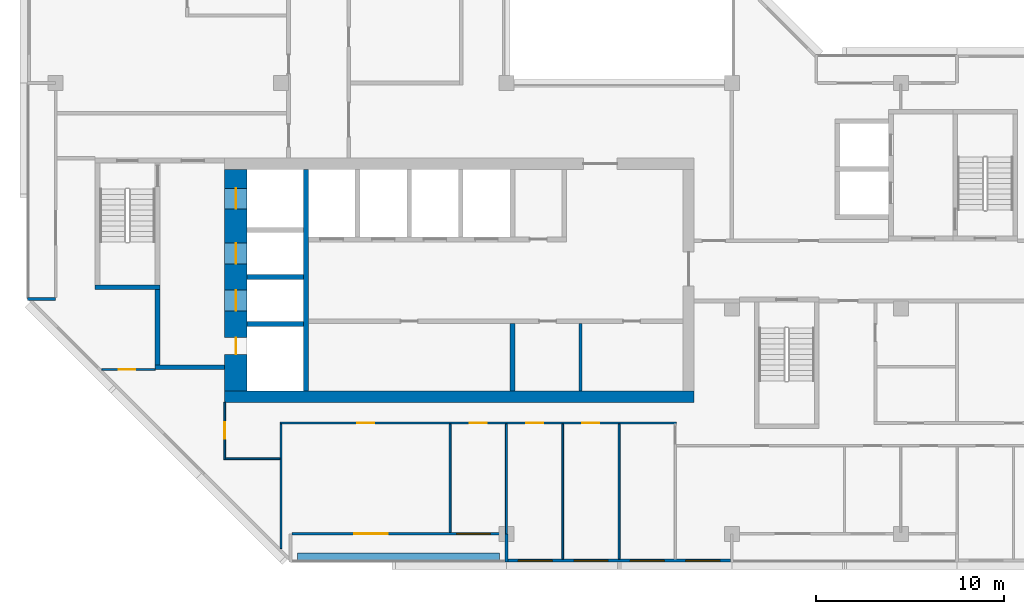
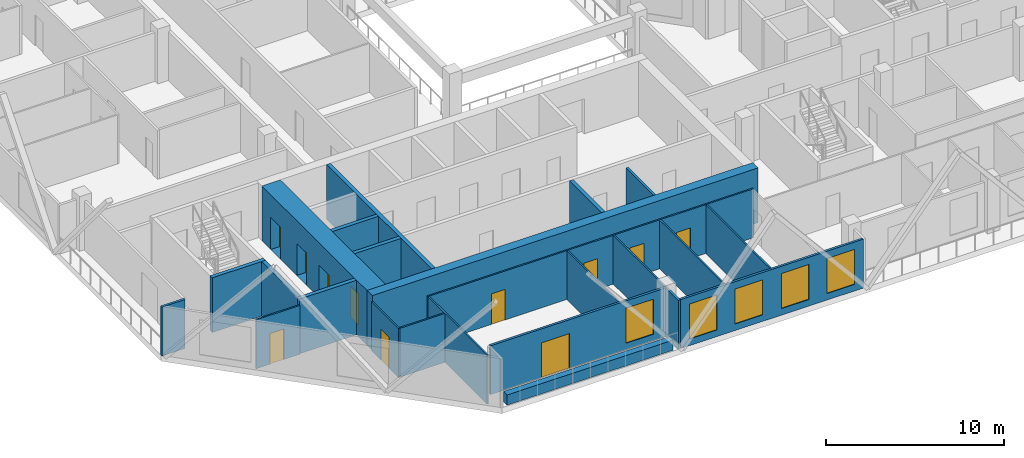
# One storey, part 4 of 13: 24 walls, 11 doors, 5 windows, 16 openings.
"""IFC4 building model written with IfcOpenShell, lengths in metres."""

from ifc_helpers import new_model, si_unit, direction, frame, frame_2d, origin, place, context, subcontext, project, spatial, rectangle, extrude, material, layer, layer_set, type_object, element, fill, save


model = new_model("IFC4")

# Units and contexts
model_context = context("Model", 3, precision=1e-05, world=origin(), true_north=direction((0.0, 1.0)))
body_context = subcontext(model_context, "Body", "Model", "MODEL_VIEW")
ifc_project = project(units=[si_unit("LENGTHUNIT", "METRE"), si_unit("AREAUNIT", "SQUARE_METRE"), si_unit("VOLUMEUNIT", "CUBIC_METRE"), si_unit("PLANEANGLEUNIT", "RADIAN"), si_unit("MASSUNIT", "GRAM", prefix="KILO")], contexts=[model_context])

# Site, building, storey
site_placement = place(None, origin())
site = spatial("IfcSite", under=ifc_project, at=site_placement, CompositionType="ELEMENT")
building_placement = place(site_placement, origin())
building = spatial("IfcBuilding", under=site, at=building_placement, Name="Chenar Terraces", CompositionType="ELEMENT")
storey_placement = place(building_placement, frame((0.0, 0.0, 280.89990234375)))
storey = spatial("IfcBuildingStorey", under=building, at=storey_placement, Name="L65", CompositionType="ELEMENT", Elevation=280.89990234375)

# Wall
ifc_material_1 = material(Name="Gypsum board on steel studs", Category="steel")
ifc_layer_1 = layer(ifc_material_1, 0.14990234375)
ifc_layer_set_1 = layer_set([ifc_layer_1], Name="Gypsum board on steel studs")
wall_type_1 = type_object("IfcWallType", Name="Core partition 150 gypsum board", PredefinedType="PARTITIONING", material=ifc_layer_set_1)
wall_1_placement = place(storey_placement, frame((27.949951171875, 7.60009765625, 0.0), z_axis=(0.0, 0.0, 1.0), x_axis=(0.0, 1.0, 0.0)))
element("IfcWall", 1, at=wall_1_placement, inside=storey, type_object=wall_type_1, Name="Core partition CP1 freed bay wall", PredefinedType="PARTITIONING", context=body_context, shape_type="SweptSolid", body=[
    extrude(rectangle(XDim=3.599853515625, YDim=0.14990234375, at=frame_2d((1.7998046875, 0.0))), origin(), (0.0, 0.0, 1.0), 3.35009765625),
])

# Wall, openings, doors
ifc_material_2 = material(Name="Concrete C50/60", Category="concrete")
ifc_layer_2 = layer(ifc_material_2, 1.199951171875)
ifc_layer_set_2 = layer_set([ifc_layer_2], Name="Concrete C50/60")
wall_type_2 = type_object("IfcWallType", Name="Core wall 1200 Concrete C50/60", PredefinedType="SHEAR", material=ifc_layer_set_2)
wall_2_placement = place(storey_placement, frame((9.60009765625, 7.60009765625, 0.0), z_axis=(0.0, 0.0, 1.0), x_axis=(0.0, 1.0, 0.0)))
wall_2 = element("IfcWall", 2, at=wall_2_placement, inside=storey, type_object=wall_type_2, Name="Core wall W L65", PredefinedType="SHEAR", context=body_context, shape_type="SweptSolid", body=[
    extrude(rectangle(XDim=11.7998046875, YDim=1.199951171875, at=frame_2d((5.89990234375, 0.0))), origin(), (0.0, 0.0, 1.0), 3.75),
])
opening_1_placement = place(wall_2_placement, frame((4.27490234375, 0.0, 0.0)))
opening_1 = element("IfcOpeningElement", 3, at=opening_1_placement, cuts=wall_2, Name="Opening DL65-LD5", PredefinedType="OPENING", context=body_context, shape_type="SweptSolid", body=[
    extrude(rectangle(XDim=1.10009765625, YDim=2.199951171875, at=frame_2d((0.550048828125, 1.10009765625))), frame((0.0, 0.60986328125, 0.0), z_axis=(0.0, -1.0, 0.0), x_axis=(1.0, 0.0, 0.0)), (0.0, 0.0, 1.0), 1.219970703125),
])
opening_2_placement = place(wall_2_placement, frame((6.77490234375, 0.0, 0.0)))
opening_2 = element("IfcOpeningElement", 4, at=opening_2_placement, cuts=wall_2, Name="Opening DL65-LD6", PredefinedType="OPENING", context=body_context, shape_type="SweptSolid", body=[
    extrude(rectangle(XDim=1.10009765625, YDim=2.199951171875, at=frame_2d((0.550048828125, 1.10009765625))), frame((0.0, 0.60986328125, 0.0), z_axis=(0.0, -1.0, 0.0), x_axis=(1.0, 0.0, 0.0)), (0.0, 0.0, 1.0), 1.219970703125),
])
opening_3_placement = place(wall_2_placement, frame((9.699951171875, 0.0, 0.0)))
opening_3 = element("IfcOpeningElement", 5, at=opening_3_placement, cuts=wall_2, Name="Opening DL65-LD7", PredefinedType="OPENING", context=body_context, shape_type="SweptSolid", body=[
    extrude(rectangle(XDim=1.10009765625, YDim=2.199951171875, at=frame_2d((0.550048828125, 1.10009765625))), frame((0.0, 0.60986328125, 0.0), z_axis=(0.0, -1.0, 0.0), x_axis=(1.0, 0.0, 0.0)), (0.0, 0.0, 1.0), 1.219970703125),
])
opening_4_placement = place(wall_2_placement, frame((1.949951171875, 0.0, 0.0)))
opening_4 = element("IfcOpeningElement", 6, at=opening_4_placement, cuts=wall_2, Name="Opening DL65-C4", PredefinedType="OPENING", context=body_context, shape_type="SweptSolid", body=[
    extrude(rectangle(XDim=0.89990234375, YDim=2.10009765625, at=frame_2d((0.449951171875, 1.050048828125))), frame((0.0, 0.60986328125, 0.0), z_axis=(0.0, -1.0, 0.0), x_axis=(1.0, 0.0, 0.0)), (0.0, 0.0, 1.0), 1.219970703125),
])
ifc_material_3 = material(Name="Stainless steel", Category="steel")
door_type_1 = type_object("IfcDoorType", Name="Lift landing door 1100 x 2200 sliding", OperationType="DOUBLE_DOOR_SLIDING", PredefinedType="DOOR", material=ifc_material_3)
door_1_placement = place(opening_1_placement, origin())
door_1 = element("IfcDoor", 7, at=door_1_placement, inside=storey, type_object=door_type_1, Name="Landing door S1", OperationType="DOUBLE_DOOR_SLIDING", OverallHeight=2.199951171875, OverallWidth=1.10009765625, PredefinedType="DOOR", context=body_context, shape_type="SweptSolid", body=[
    extrude(rectangle(XDim=1.10009765625, YDim=2.199951171875, at=frame_2d((0.550048828125, 1.10009765625))), frame((0.0, 0.02490234375, 0.0), z_axis=(0.0, -1.0, 0.0), x_axis=(1.0, 0.0, 0.0)), (0.0, 0.0, 1.0), 0.050048828125),
])
fill(opening_1, door_1)
door_2_placement = place(opening_2_placement, origin())
door_2 = element("IfcDoor", 8, at=door_2_placement, inside=storey, type_object=door_type_1, Name="Landing door F1", OperationType="DOUBLE_DOOR_SLIDING", OverallHeight=2.199951171875, OverallWidth=1.10009765625, PredefinedType="DOOR", context=body_context, shape_type="SweptSolid", body=[
    extrude(rectangle(XDim=1.10009765625, YDim=2.199951171875, at=frame_2d((0.550048828125, 1.10009765625))), frame((0.0, 0.02490234375, 0.0), z_axis=(0.0, -1.0, 0.0), x_axis=(1.0, 0.0, 0.0)), (0.0, 0.0, 1.0), 0.050048828125),
])
fill(opening_2, door_2)
door_3_placement = place(opening_3_placement, origin())
door_3 = element("IfcDoor", 9, at=door_3_placement, inside=storey, type_object=door_type_1, Name="Landing door F2", OperationType="DOUBLE_DOOR_SLIDING", OverallHeight=2.199951171875, OverallWidth=1.10009765625, PredefinedType="DOOR", context=body_context, shape_type="SweptSolid", body=[
    extrude(rectangle(XDim=1.10009765625, YDim=2.199951171875, at=frame_2d((0.550048828125, 1.10009765625))), frame((0.0, 0.02490234375, 0.0), z_axis=(0.0, -1.0, 0.0), x_axis=(1.0, 0.0, 0.0)), (0.0, 0.0, 1.0), 0.050048828125),
])
fill(opening_3, door_3)
ifc_material_4 = material(Name="Steel-framed fire-resisting door leaf", Category="steel")
door_type_2 = type_object("IfcDoorType", Name="Riser fire door FD60 900 x 2100", OperationType="SINGLE_SWING_LEFT", PredefinedType="DOOR", material=ifc_material_4)
door_4_placement = place(opening_4_placement, frame((0.89990234375, 0.0, 0.0), z_axis=(0.0, 0.0, 1.0), x_axis=(-1.0, 0.0, 0.0)))
door_4 = element("IfcDoor", 10, at=door_4_placement, inside=storey, type_object=door_type_2, Name="Riser door DL65-C4", OperationType="SINGLE_SWING_LEFT", OverallHeight=2.10009765625, OverallWidth=0.89990234375, PredefinedType="DOOR", context=body_context, shape_type="SweptSolid", body=[
    extrude(rectangle(XDim=0.89990234375, YDim=2.10009765625, at=frame_2d((0.449951171875, 1.050048828125))), frame((0.0, 0.02490234375, 0.0), z_axis=(0.0, -1.0, 0.0), x_axis=(1.0, 0.0, 0.0)), (0.0, 0.0, 1.0), 0.050048828125),
])
fill(opening_4, door_4)

# Walls
ifc_material_5 = material(Name="Concrete C50/60", Category="concrete")
ifc_layer_3 = layer(ifc_material_5, 0.25)
ifc_layer_set_3 = layer_set([ifc_layer_3], Name="Concrete C50/60")
wall_type_3 = type_object("IfcWallType", Name="Core wall 250 Concrete C50/60", PredefinedType="SHEAR", material=ifc_layer_set_3)
wall_3_placement = place(storey_placement, frame((13.324951171875, 7.60009765625, 0.0), z_axis=(0.0, 0.0, 1.0), x_axis=(0.0, 1.0, 0.0)))
element("IfcWall", 11, at=wall_3_placement, inside=storey, type_object=wall_type_3, Name="Core wall WI L65", PredefinedType="SHEAR", context=body_context, shape_type="SweptSolid", body=[
    extrude(rectangle(XDim=11.7998046875, YDim=0.25, at=frame_2d((5.89990234375, 0.0))), origin(), (0.0, 0.0, 1.0), 3.75),
])
for number, where, z_axis, x_axis, name in (
    (12, (10.199951171875, 11.175048828125, 0.0), (0.0, 0.0, 1.0), (1.0, 0.0, 0.0), "Core wall HW0 L65"),
    (13, (10.199951171875, 13.675048828125, 0.0), (0.0, 0.0, 1.0), (1.0, 0.0, 0.0), "Core wall HW1 L65"),
):
    element("IfcWall", number, at=place(storey_placement, frame(where, z_axis=z_axis, x_axis=x_axis)), inside=storey, type_object=wall_type_3, Name=name, PredefinedType="SHEAR", context=body_context, shape_type="SweptSolid", body=[
        extrude(rectangle(XDim=3.0, YDim=0.25, at=frame_2d((1.5, 0.0))), origin(), (0.0, 0.0, 1.0), 3.75),
    ])
wall_4_placement = place(storey_placement, frame((24.324951171875, 7.60009765625, 0.0), z_axis=(0.0, 0.0, 1.0), x_axis=(0.0, 1.0, 0.0)))
element("IfcWall", 14, at=wall_4_placement, inside=storey, type_object=wall_type_3, Name="Core wall SS3 L65", PredefinedType="SHEAR", context=body_context, shape_type="SweptSolid", body=[
    extrude(rectangle(XDim=3.599853515625, YDim=0.25, at=frame_2d((1.7998046875, 0.0))), origin(), (0.0, 0.0, 1.0), 3.75),
])
wall_5_placement = place(storey_placement, frame((2.10009765625, 13.125, 0.0), z_axis=(0.0, 0.0, 1.0), x_axis=(1.0, 0.0, 0.0)))
element("IfcWall", 15, at=wall_5_placement, inside=storey, type_object=wall_type_3, Name="Core wall ST1_S L65", PredefinedType="SHEAR", context=body_context, shape_type="SweptSolid", body=[
    extrude(rectangle(XDim=3.449951171875, YDim=0.25, at=frame_2d((1.72509765625, 0.0))), origin(), (0.0, 0.0, 1.0), 3.75),
])
wall_6_placement = place(storey_placement, frame((5.300048828125, 8.875, 0.0), z_axis=(0.0, 0.0, 1.0), x_axis=(1.0, 0.0, 0.0)))
element("IfcWall", 16, at=wall_6_placement, inside=storey, type_object=wall_type_3, Name="Core wall FFL_S L65", PredefinedType="SHEAR", context=body_context, shape_type="SweptSolid", body=[
    extrude(rectangle(XDim=3.699951171875, YDim=0.25, at=frame_2d((1.85009765625, 0.0))), origin(), (0.0, 0.0, 1.0), 3.75),
])
wall_7_placement = place(storey_placement, frame((5.425048828125, 9.0, 0.0), z_axis=(0.0, 0.0, 1.0), x_axis=(0.0, 1.0, 0.0)))
element("IfcWall", 17, at=wall_7_placement, inside=storey, type_object=wall_type_3, Name="Core wall FFL_W L65", PredefinedType="SHEAR", context=body_context, shape_type="SweptSolid", body=[
    extrude(rectangle(XDim=4.0, YDim=0.25, at=frame_2d((2.0, 0.0))), origin(), (0.0, 0.0, 1.0), 3.75),
])
ifc_material_6 = material(Name="Concrete C50/60", Category="concrete")
ifc_layer_4 = layer(ifc_material_6, 0.60009765625)
ifc_layer_set_4 = layer_set([ifc_layer_4], Name="Concrete C50/60")
wall_type_4 = type_object("IfcWallType", Name="Core wall 600 Concrete C50/60", PredefinedType="SHEAR", material=ifc_layer_set_4)
wall_8_placement = place(storey_placement, frame((9.0, 7.300048828125, 0.0), z_axis=(0.0, 0.0, 1.0), x_axis=(1.0, 0.0, 0.0)))
element("IfcWall", 18, at=wall_8_placement, inside=storey, type_object=wall_type_4, Name="Core wall S L65", PredefinedType="SHEAR", context=body_context, shape_type="SweptSolid", body=[
    extrude(rectangle(XDim=25.0, YDim=0.60009765625, at=frame_2d((12.5, 0.0))), origin(), (0.0, 0.0, 1.0), 3.75),
])

# Wall, openings, windows
ifc_material_7 = material(Name="Aluminium framed glazing", Category="aluminium")
ifc_layer_5 = layer(ifc_material_7, 0.14990234375)
ifc_layer_set_5 = layer_set([ifc_layer_5], Name="Aluminium framed glazing")
wall_type_5 = type_object("IfcWallType", Name="Glazed flush facade wall 150", PredefinedType="SOLIDWALL", material=ifc_layer_set_5)
wall_9_placement = place(storey_placement, frame((24.074951171875, -1.425048828125, 0.0), z_axis=(0.0, 0.0, 1.0), x_axis=(1.0, 0.0, 0.0)))
wall_9 = element("IfcWall", 19, at=wall_9_placement, inside=storey, type_object=wall_type_5, Name="Glazed flush facade wall", PredefinedType="SOLIDWALL", context=body_context, shape_type="SweptSolid", body=[
    extrude(rectangle(XDim=11.85009765625, YDim=0.14990234375, at=frame_2d((5.925048828125, 0.0))), origin(), (0.0, 0.0, 1.0), 3.35009765625),
])
opening_5_placement = place(wall_9_placement, frame((0.5625, 0.0, 0.449951171875)))
opening_5 = element("IfcOpeningElement", 20, at=opening_5_placement, cuts=wall_9, Name="Opening W180x240", PredefinedType="OPENING", context=body_context, shape_type="SweptSolid", body=[
    extrude(rectangle(XDim=1.800048828125, YDim=2.39990234375, at=frame_2d((0.89990234375, 1.199951171875))), frame((0.0, 0.0849609375, 0.0), z_axis=(0.0, -1.0, 0.0), x_axis=(1.0, 0.0, 0.0)), (0.0, 0.0, 1.0), 0.169921875),
])
opening_6_placement = place(wall_9_placement, frame((3.52490234375, 0.0, 0.449951171875)))
opening_6 = element("IfcOpeningElement", 21, at=opening_6_placement, cuts=wall_9, Name="Opening W180x240", PredefinedType="OPENING", context=body_context, shape_type="SweptSolid", body=[
    extrude(rectangle(XDim=1.800048828125, YDim=2.39990234375, at=frame_2d((0.89990234375, 1.199951171875))), frame((0.0, 0.0849609375, 0.0), z_axis=(0.0, -1.0, 0.0), x_axis=(1.0, 0.0, 0.0)), (0.0, 0.0, 1.0), 0.169921875),
])
opening_7_placement = place(wall_9_placement, frame((6.52490234375, 0.0, 0.449951171875)))
opening_7 = element("IfcOpeningElement", 22, at=opening_7_placement, cuts=wall_9, Name="Opening W180x240", PredefinedType="OPENING", context=body_context, shape_type="SweptSolid", body=[
    extrude(rectangle(XDim=1.800048828125, YDim=2.39990234375, at=frame_2d((0.89990234375, 1.199951171875))), frame((0.0, 0.0849609375, 0.0), z_axis=(0.0, -1.0, 0.0), x_axis=(1.0, 0.0, 0.0)), (0.0, 0.0, 1.0), 0.169921875),
])
opening_8_placement = place(wall_9_placement, frame((9.487548828125, 0.0, 0.449951171875)))
opening_8 = element("IfcOpeningElement", 23, at=opening_8_placement, cuts=wall_9, Name="Opening W180x240", PredefinedType="OPENING", context=body_context, shape_type="SweptSolid", body=[
    extrude(rectangle(XDim=1.800048828125, YDim=2.39990234375, at=frame_2d((0.89990234375, 1.199951171875))), frame((0.0, 0.0849609375, 0.0), z_axis=(0.0, -1.0, 0.0), x_axis=(1.0, 0.0, 0.0)), (0.0, 0.0, 1.0), 0.169921875),
])
ifc_material_8 = material(Name="Low emissivity double glazing, aluminium frame", Category="aluminium")
window_type = type_object("IfcWindowType", Name="Fixed light 1800 x 2400", PartitioningType="SINGLE_PANEL", PredefinedType="WINDOW", material=ifc_material_8)
window_1_placement = place(opening_5_placement, origin())
window_1 = element("IfcWindow", 24, at=window_1_placement, inside=storey, type_object=window_type, Name="Window", OverallHeight=2.39990234375, OverallWidth=1.800048828125, PartitioningType="SINGLE_PANEL", PredefinedType="WINDOW", context=body_context, shape_type="SweptSolid", body=[
    extrude(rectangle(XDim=1.800048828125, YDim=2.39990234375, at=frame_2d((0.89990234375, 1.199951171875))), frame((0.0, 0.030029296875, 0.0), z_axis=(0.0, -1.0, 0.0), x_axis=(1.0, 0.0, 0.0)), (0.0, 0.0, 1.0), 0.06005859375),
])
fill(opening_5, window_1)
window_2_placement = place(opening_6_placement, origin())
window_2 = element("IfcWindow", 25, at=window_2_placement, inside=storey, type_object=window_type, Name="Window", OverallHeight=2.39990234375, OverallWidth=1.800048828125, PartitioningType="SINGLE_PANEL", PredefinedType="WINDOW", context=body_context, shape_type="SweptSolid", body=[
    extrude(rectangle(XDim=1.800048828125, YDim=2.39990234375, at=frame_2d((0.89990234375, 1.199951171875))), frame((0.0, 0.030029296875, 0.0), z_axis=(0.0, -1.0, 0.0), x_axis=(1.0, 0.0, 0.0)), (0.0, 0.0, 1.0), 0.06005859375),
])
fill(opening_6, window_2)
window_3_placement = place(opening_7_placement, origin())
window_3 = element("IfcWindow", 26, at=window_3_placement, inside=storey, type_object=window_type, Name="Window", OverallHeight=2.39990234375, OverallWidth=1.800048828125, PartitioningType="SINGLE_PANEL", PredefinedType="WINDOW", context=body_context, shape_type="SweptSolid", body=[
    extrude(rectangle(XDim=1.800048828125, YDim=2.39990234375, at=frame_2d((0.89990234375, 1.199951171875))), frame((0.0, 0.030029296875, 0.0), z_axis=(0.0, -1.0, 0.0), x_axis=(1.0, 0.0, 0.0)), (0.0, 0.0, 1.0), 0.06005859375),
])
fill(opening_7, window_3)
window_4_placement = place(opening_8_placement, origin())
window_4 = element("IfcWindow", 27, at=window_4_placement, inside=storey, type_object=window_type, Name="Window", OverallHeight=2.39990234375, OverallWidth=1.800048828125, PartitioningType="SINGLE_PANEL", PredefinedType="WINDOW", context=body_context, shape_type="SweptSolid", body=[
    extrude(rectangle(XDim=1.800048828125, YDim=2.39990234375, at=frame_2d((0.89990234375, 1.199951171875))), frame((0.0, 0.030029296875, 0.0), z_axis=(0.0, -1.0, 0.0), x_axis=(1.0, 0.0, 0.0)), (0.0, 0.0, 1.0), 0.06005859375),
])
fill(opening_8, window_4)

# Wall, openings, window, door
ifc_material_9 = material(Name="Aluminium framed glazing", Category="aluminium")
ifc_layer_6 = layer(ifc_material_9, 0.14990234375)
ifc_layer_set_6 = layer_set([ifc_layer_6], Name="Aluminium framed glazing")
wall_type_6 = type_object("IfcWallType", Name="Glazed loggia back wall 150", PredefinedType="SOLIDWALL", material=ifc_layer_set_6)
wall_10_placement = place(storey_placement, frame((12.574951171875, 0.0, 0.0), z_axis=(0.0, 0.0, 1.0), x_axis=(1.0, 0.0, 0.0)))
wall_10 = element("IfcWall", 28, at=wall_10_placement, inside=storey, type_object=wall_type_6, Name="Glazed loggia back wall", PredefinedType="SOLIDWALL", context=body_context, shape_type="SweptSolid", body=[
    extrude(rectangle(XDim=11.35009765625, YDim=0.14990234375, at=frame_2d((5.675048828125, 0.0))), origin(), (0.0, 0.0, 1.0), 3.35009765625),
])
opening_9_placement = place(wall_10_placement, frame((3.3125, 0.0, 0.0)))
opening_9 = element("IfcOpeningElement", 29, at=opening_9_placement, cuts=wall_10, Name="Opening DL65-G5", PredefinedType="OPENING", context=body_context, shape_type="SweptSolid", body=[
    extrude(rectangle(XDim=1.800048828125, YDim=2.39990234375, at=frame_2d((0.89990234375, 1.199951171875))), frame((0.0, 0.0849609375, 0.0), z_axis=(0.0, -1.0, 0.0), x_axis=(1.0, 0.0, 0.0)), (0.0, 0.0, 1.0), 0.169921875),
])
opening_10_placement = place(wall_10_placement, frame((8.77490234375, 0.0, 0.449951171875)))
opening_10 = element("IfcOpeningElement", 30, at=opening_10_placement, cuts=wall_10, Name="Opening W180x240", PredefinedType="OPENING", context=body_context, shape_type="SweptSolid", body=[
    extrude(rectangle(XDim=1.800048828125, YDim=2.39990234375, at=frame_2d((0.89990234375, 1.199951171875))), frame((0.0, 0.0849609375, 0.0), z_axis=(0.0, -1.0, 0.0), x_axis=(1.0, 0.0, 0.0)), (0.0, 0.0, 1.0), 0.169921875),
])
window_5_placement = place(opening_10_placement, origin())
window_5 = element("IfcWindow", 31, at=window_5_placement, inside=storey, type_object=window_type, Name="Window", OverallHeight=2.39990234375, OverallWidth=1.800048828125, PartitioningType="SINGLE_PANEL", PredefinedType="WINDOW", context=body_context, shape_type="SweptSolid", body=[
    extrude(rectangle(XDim=1.800048828125, YDim=2.39990234375, at=frame_2d((0.89990234375, 1.199951171875))), frame((0.0, 0.030029296875, 0.0), z_axis=(0.0, -1.0, 0.0), x_axis=(1.0, 0.0, 0.0)), (0.0, 0.0, 1.0), 0.06005859375),
])
fill(opening_10, window_5)
ifc_material_10 = material(Name="Low emissivity double glazing, aluminium frame", Category="aluminium")
door_type_3 = type_object("IfcDoorType", Name="Loggia glazed double door 1800 x 2400", OperationType="DOUBLE_DOOR_SINGLE_SWING", PredefinedType="DOOR", material=ifc_material_10)
door_5_placement = place(opening_9_placement, frame((1.800048828125, 0.0, 0.0), z_axis=(0.0, 0.0, 1.0), x_axis=(-1.0, 0.0, 0.0)))
door_5 = element("IfcDoor", 32, at=door_5_placement, inside=storey, type_object=door_type_3, Name="Loggia glazed door", OperationType="DOUBLE_DOOR_SINGLE_SWING", OverallHeight=2.39990234375, OverallWidth=1.800048828125, PredefinedType="DOOR", context=body_context, shape_type="SweptSolid", body=[
    extrude(rectangle(XDim=1.800048828125, YDim=2.39990234375, at=frame_2d((0.89990234375, 1.199951171875))), frame((0.0, 0.02490234375, 0.0), z_axis=(0.0, -1.0, 0.0), x_axis=(1.0, 0.0, 0.0)), (0.0, 0.0, 1.0), 0.050048828125),
])
fill(opening_9, door_5)

# Wall, opening, door
ifc_material_11 = material(Name="Gypsum board on steel studs", Category="steel")
ifc_layer_7 = layer(ifc_material_11, 0.10009765625)
ifc_layer_set_7 = layer_set([ifc_layer_7], Name="Gypsum board on steel studs")
wall_type_7 = type_object("IfcWallType", Name="Gypsum partition 100", PredefinedType="PARTITIONING", material=ifc_layer_set_7)
wall_11_placement = place(storey_placement, frame((2.4609375, 8.75, 0.0), z_axis=(0.0, 0.0, 1.0), x_axis=(1.0, 0.0, 0.0)))
wall_11 = element("IfcWall", 33, at=wall_11_placement, inside=storey, type_object=wall_type_7, Name="Partition L65-010", PredefinedType="PARTITIONING", context=body_context, shape_type="SweptSolid", body=[
    extrude(rectangle(XDim=2.839111328125, YDim=0.10009765625, at=frame_2d((1.41943359375, 0.0))), origin(), (0.0, 0.0, 1.0), 3.35009765625),
])
opening_11_placement = place(wall_11_placement, frame((0.888916015625, 0.0, 0.0)))
opening_11 = element("IfcOpeningElement", 34, at=opening_11_placement, cuts=wall_11, Name="Opening DL65-43", PredefinedType="OPENING", context=body_context, shape_type="SweptSolid", body=[
    extrude(rectangle(XDim=0.89990234375, YDim=2.10009765625, at=frame_2d((0.449951171875, 1.050048828125))), frame((0.0, 0.06005859375, 0.0), z_axis=(0.0, -1.0, 0.0), x_axis=(1.0, 0.0, 0.0)), (0.0, 0.0, 1.0), 0.1201171875),
])
ifc_material_12 = material(Name="Veneered timber door leaf", Category="wood")
door_type_4 = type_object("IfcDoorType", Name="Door 900 x 2100", OperationType="SINGLE_SWING_LEFT", PredefinedType="DOOR", material=ifc_material_12)
door_6_placement = place(opening_11_placement, frame((0.89990234375, 0.0, 0.0), z_axis=(0.0, 0.0, 1.0), x_axis=(-1.0, 0.0, 0.0)))
door_6 = element("IfcDoor", 35, at=door_6_placement, inside=storey, type_object=door_type_4, Name="Door DL65-43", OperationType="SINGLE_SWING_RIGHT", OverallHeight=2.10009765625, OverallWidth=0.89990234375, PredefinedType="DOOR", context=body_context, shape_type="SweptSolid", body=[
    extrude(rectangle(XDim=0.89990234375, YDim=2.10009765625, at=frame_2d((0.449951171875, 1.050048828125))), frame((0.0, 0.02490234375, 0.0), z_axis=(0.0, -1.0, 0.0), x_axis=(1.0, 0.0, 0.0)), (0.0, 0.0, 1.0), 0.050048828125),
])
fill(opening_11, door_6)

wall_12_placement = place(storey_placement, frame((9.0, 3.949951171875, 0.0), z_axis=(0.0, 0.0, 1.0), x_axis=(0.0, 1.0, 0.0)))
wall_12 = element("IfcWall", 36, at=wall_12_placement, inside=storey, type_object=wall_type_7, Name="Partition L65-024", PredefinedType="PARTITIONING", context=body_context, shape_type="SweptSolid", body=[
    extrude(rectangle(XDim=3.050048828125, YDim=0.10009765625, at=frame_2d((1.52490234375, 0.0))), origin(), (0.0, 0.0, 1.0), 3.35009765625),
])
opening_12_placement = place(wall_12_placement, frame((1.10009765625, 0.0, 0.0)))
opening_12 = element("IfcOpeningElement", 37, at=opening_12_placement, cuts=wall_12, Name="Opening DL65-42", PredefinedType="OPENING", context=body_context, shape_type="SweptSolid", body=[
    extrude(rectangle(XDim=0.89990234375, YDim=2.10009765625, at=frame_2d((0.449951171875, 1.050048828125))), frame((0.0, 0.06005859375, 0.0), z_axis=(0.0, -1.0, 0.0), x_axis=(1.0, 0.0, 0.0)), (0.0, 0.0, 1.0), 0.1201171875),
])
door_7_placement = place(opening_12_placement, origin())
door_7 = element("IfcDoor", 38, at=door_7_placement, inside=storey, type_object=door_type_4, Name="Door DL65-42", OperationType="SINGLE_SWING_LEFT", OverallHeight=2.10009765625, OverallWidth=0.89990234375, PredefinedType="DOOR", context=body_context, shape_type="SweptSolid", body=[
    extrude(rectangle(XDim=0.89990234375, YDim=2.10009765625, at=frame_2d((0.449951171875, 1.050048828125))), frame((0.0, 0.02490234375, 0.0), z_axis=(0.0, -1.0, 0.0), x_axis=(1.0, 0.0, 0.0)), (0.0, 0.0, 1.0), 0.050048828125),
])
fill(opening_12, door_7)

# Wall
wall_13_placement = place(storey_placement, frame((9.050048828125, 4.0, 0.0), z_axis=(0.0, 0.0, 1.0), x_axis=(1.0, 0.0, 0.0)))
element("IfcWall", 39, at=wall_13_placement, inside=storey, type_object=wall_type_7, Name="Partition L65-025", PredefinedType="PARTITIONING", context=body_context, shape_type="SweptSolid", body=[
    extrude(rectangle(XDim=2.89990234375, YDim=0.10009765625, at=frame_2d((1.449951171875, 0.0))), origin(), (0.0, 0.0, 1.0), 3.35009765625),
])

# Wall, openings, doors
wall_14_placement = place(storey_placement, frame((11.949951171875, 5.89990234375, 0.0), z_axis=(0.0, 0.0, 1.0), x_axis=(1.0, 0.0, 0.0)))
wall_14 = element("IfcWall", 40, at=wall_14_placement, inside=storey, type_object=wall_type_7, Name="Partition L65-026", PredefinedType="PARTITIONING", context=body_context, shape_type="SweptSolid", body=[
    extrude(rectangle(XDim=21.10009765625, YDim=0.10009765625, at=frame_2d((10.550048828125, 0.0))), origin(), (0.0, 0.0, 1.0), 3.35009765625),
])
opening_13_placement = place(wall_14_placement, frame((10.10009765625, 0.0, 0.0)))
opening_13 = element("IfcOpeningElement", 41, at=opening_13_placement, cuts=wall_14, Name="Opening DL65-34", PredefinedType="OPENING", context=body_context, shape_type="SweptSolid", body=[
    extrude(rectangle(XDim=0.89990234375, YDim=2.10009765625, at=frame_2d((0.449951171875, 1.050048828125))), frame((0.0, 0.06005859375, 0.0), z_axis=(0.0, -1.0, 0.0), x_axis=(1.0, 0.0, 0.0)), (0.0, 0.0, 1.0), 0.1201171875),
])
opening_14_placement = place(wall_14_placement, frame((13.10009765625, 0.0, 0.0)))
opening_14 = element("IfcOpeningElement", 42, at=opening_14_placement, cuts=wall_14, Name="Opening DL65-35", PredefinedType="OPENING", context=body_context, shape_type="SweptSolid", body=[
    extrude(rectangle(XDim=0.89990234375, YDim=2.10009765625, at=frame_2d((0.449951171875, 1.050048828125))), frame((0.0, 0.06005859375, 0.0), z_axis=(0.0, -1.0, 0.0), x_axis=(1.0, 0.0, 0.0)), (0.0, 0.0, 1.0), 0.1201171875),
])
opening_15_placement = place(wall_14_placement, frame((16.10009765625, 0.0, 0.0)))
opening_15 = element("IfcOpeningElement", 43, at=opening_15_placement, cuts=wall_14, Name="Opening DL65-36", PredefinedType="OPENING", context=body_context, shape_type="SweptSolid", body=[
    extrude(rectangle(XDim=0.89990234375, YDim=2.10009765625, at=frame_2d((0.449951171875, 1.050048828125))), frame((0.0, 0.06005859375, 0.0), z_axis=(0.0, -1.0, 0.0), x_axis=(1.0, 0.0, 0.0)), (0.0, 0.0, 1.0), 0.1201171875),
])
opening_16_placement = place(wall_14_placement, frame((4.10009765625, 0.0, 0.0)))
opening_16 = element("IfcOpeningElement", 44, at=opening_16_placement, cuts=wall_14, Name="Opening DL65-47", PredefinedType="OPENING", context=body_context, shape_type="SweptSolid", body=[
    extrude(rectangle(XDim=0.89990234375, YDim=2.10009765625, at=frame_2d((0.449951171875, 1.050048828125))), frame((0.0, 0.06005859375, 0.0), z_axis=(0.0, -1.0, 0.0), x_axis=(1.0, 0.0, 0.0)), (0.0, 0.0, 1.0), 0.1201171875),
])
door_8_placement = place(opening_13_placement, frame((0.89990234375, 0.0, 0.0), z_axis=(0.0, 0.0, 1.0), x_axis=(-1.0, 0.0, 0.0)))
door_8 = element("IfcDoor", 45, at=door_8_placement, inside=storey, type_object=door_type_4, Name="Door DL65-34", OperationType="SINGLE_SWING_RIGHT", OverallHeight=2.10009765625, OverallWidth=0.89990234375, PredefinedType="DOOR", context=body_context, shape_type="SweptSolid", body=[
    extrude(rectangle(XDim=0.89990234375, YDim=2.10009765625, at=frame_2d((0.449951171875, 1.050048828125))), frame((0.0, 0.02490234375, 0.0), z_axis=(0.0, -1.0, 0.0), x_axis=(1.0, 0.0, 0.0)), (0.0, 0.0, 1.0), 0.050048828125),
])
fill(opening_13, door_8)
door_9_placement = place(opening_14_placement, frame((0.89990234375, 0.0, 0.0), z_axis=(0.0, 0.0, 1.0), x_axis=(-1.0, 0.0, 0.0)))
door_9 = element("IfcDoor", 46, at=door_9_placement, inside=storey, type_object=door_type_4, Name="Door DL65-35", OperationType="SINGLE_SWING_RIGHT", OverallHeight=2.10009765625, OverallWidth=0.89990234375, PredefinedType="DOOR", context=body_context, shape_type="SweptSolid", body=[
    extrude(rectangle(XDim=0.89990234375, YDim=2.10009765625, at=frame_2d((0.449951171875, 1.050048828125))), frame((0.0, 0.02490234375, 0.0), z_axis=(0.0, -1.0, 0.0), x_axis=(1.0, 0.0, 0.0)), (0.0, 0.0, 1.0), 0.050048828125),
])
fill(opening_14, door_9)
door_10_placement = place(opening_15_placement, frame((0.89990234375, 0.0, 0.0), z_axis=(0.0, 0.0, 1.0), x_axis=(-1.0, 0.0, 0.0)))
door_10 = element("IfcDoor", 47, at=door_10_placement, inside=storey, type_object=door_type_4, Name="Door DL65-36", OperationType="SINGLE_SWING_RIGHT", OverallHeight=2.10009765625, OverallWidth=0.89990234375, PredefinedType="DOOR", context=body_context, shape_type="SweptSolid", body=[
    extrude(rectangle(XDim=0.89990234375, YDim=2.10009765625, at=frame_2d((0.449951171875, 1.050048828125))), frame((0.0, 0.02490234375, 0.0), z_axis=(0.0, -1.0, 0.0), x_axis=(1.0, 0.0, 0.0)), (0.0, 0.0, 1.0), 0.050048828125),
])
fill(opening_15, door_10)
door_11_placement = place(opening_16_placement, frame((0.89990234375, 0.0, 0.0), z_axis=(0.0, 0.0, 1.0), x_axis=(-1.0, 0.0, 0.0)))
door_11 = element("IfcDoor", 48, at=door_11_placement, inside=storey, type_object=door_type_4, Name="Door DL65-47", OperationType="SINGLE_SWING_RIGHT", OverallHeight=2.10009765625, OverallWidth=0.89990234375, PredefinedType="DOOR", context=body_context, shape_type="SweptSolid", body=[
    extrude(rectangle(XDim=0.89990234375, YDim=2.10009765625, at=frame_2d((0.449951171875, 1.050048828125))), frame((0.0, 0.02490234375, 0.0), z_axis=(0.0, -1.0, 0.0), x_axis=(1.0, 0.0, 0.0)), (0.0, 0.0, 1.0), 0.050048828125),
])
fill(opening_16, door_11)

# Walls
wall_15_placement = place(storey_placement, frame((12.0, -0.787841796875, 0.0), z_axis=(0.0, 0.0, 1.0), x_axis=(0.0, 1.0, 0.0)))
element("IfcWall", 49, at=wall_15_placement, inside=storey, type_object=wall_type_7, Name="Partition L65-027", PredefinedType="PARTITIONING", context=body_context, shape_type="SweptSolid", body=[
    extrude(rectangle(XDim=6.637939453125, YDim=0.10009765625, at=frame_2d((3.31884765625, 0.0))), origin(), (0.0, 0.0, 1.0), 3.35009765625),
])
wall_16_placement = place(storey_placement, frame((21.0, 0.073974609375, 0.0), z_axis=(0.0, 0.0, 1.0), x_axis=(0.0, 1.0, 0.0)))
element("IfcWall", 50, at=wall_16_placement, inside=storey, type_object=wall_type_7, Name="Partition L65-041", PredefinedType="PARTITIONING", context=body_context, shape_type="SweptSolid", body=[
    extrude(rectangle(XDim=5.776123046875, YDim=0.10009765625, at=frame_2d((2.88818359375, 0.0))), origin(), (0.0, 0.0, 1.0), 3.35009765625),
])
wall_17_placement = place(storey_placement, frame((24.0, 0.0, 0.0), z_axis=(0.0, 0.0, 1.0), x_axis=(0.0, 1.0, 0.0)))
element("IfcWall", 51, at=wall_17_placement, inside=storey, type_object=wall_type_7, Name="Partition L65-043", PredefinedType="PARTITIONING", context=body_context, shape_type="SweptSolid", body=[
    extrude(rectangle(XDim=5.85009765625, YDim=0.10009765625, at=frame_2d((2.925048828125, 0.0))), origin(), (0.0, 0.0, 1.0), 3.35009765625),
])
for number, where, z_axis, x_axis, name in (
    (52, (27.0, -1.35107421875, 0.0), (0.0, 0.0, 1.0), (0.0, 1.0, 0.0), "Partition L65-044"),
    (53, (30.0, -1.35107421875, 0.0), (0.0, 0.0, 1.0), (0.0, 1.0, 0.0), "Partition L65-045"),
):
    element("IfcWall", number, at=place(storey_placement, frame(where, z_axis=z_axis, x_axis=x_axis)), inside=storey, type_object=wall_type_7, Name=name, PredefinedType="PARTITIONING", context=body_context, shape_type="SweptSolid", body=[
        extrude(rectangle(XDim=7.201171875, YDim=0.10009765625, at=frame_2d((3.6005859375, 0.0))), origin(), (0.0, 0.0, 1.0), 3.35009765625),
    ])
ifc_material_13 = material(Name="Terracotta cladding on insulated backing", Category="masonry")
ifc_layer_8 = layer(ifc_material_13, 0.14990234375)
ifc_layer_set_8 = layer_set([ifc_layer_8], Name="Terracotta cladding on insulated backing")
wall_type_8 = type_object("IfcWallType", Name="Loggia return wall 150", PredefinedType="SOLIDWALL", material=ifc_layer_set_8)
for number, where, z_axis, x_axis, name in (
    (54, (-1.5, 12.5, 0.0), (0.0, 0.0, 1.0), (1.0, 0.0, 0.0), "Loggia return wall"),
    (55, (24.0, -1.5, 0.0), (0.0, 0.0, 1.0), (0.0, 1.0, 0.0), "Loggia return wall"),
):
    element("IfcWall", number, at=place(storey_placement, frame(where, z_axis=z_axis, x_axis=x_axis)), inside=storey, type_object=wall_type_8, Name=name, PredefinedType="SOLIDWALL", context=body_context, shape_type="SweptSolid", body=[
        extrude(rectangle(XDim=1.5, YDim=0.14990234375, at=frame_2d((0.75, 0.0))), origin(), (0.0, 0.0, 1.0), 3.35009765625),
    ])
ifc_material_14 = material(Name="GRP planter trough")
ifc_layer_9 = layer(ifc_material_14, 0.39990234375)
ifc_layer_set_9 = layer_set([ifc_layer_9], Name="GRP planter trough")
wall_type_9 = type_object("IfcWallType", Name="Vertical greenery planter 400", PredefinedType="SOLIDWALL", material=ifc_layer_set_9)
wall_18_placement = place(storey_placement, frame((12.875, -1.22900390625, 0.0), z_axis=(0.0, 0.0, 1.0), x_axis=(1.0, 0.0, 0.0)))
element("IfcWall", 56, at=wall_18_placement, inside=storey, type_object=wall_type_9, Name="Vertical greenery planter", PredefinedType="SOLIDWALL", context=body_context, shape_type="SweptSolid", body=[
    extrude(rectangle(XDim=10.75, YDim=0.39990234375, at=frame_2d((5.375, 0.0))), origin(), (0.0, 0.0, 1.0), 0.7001953125),
])

save(model, "model.ifc")
